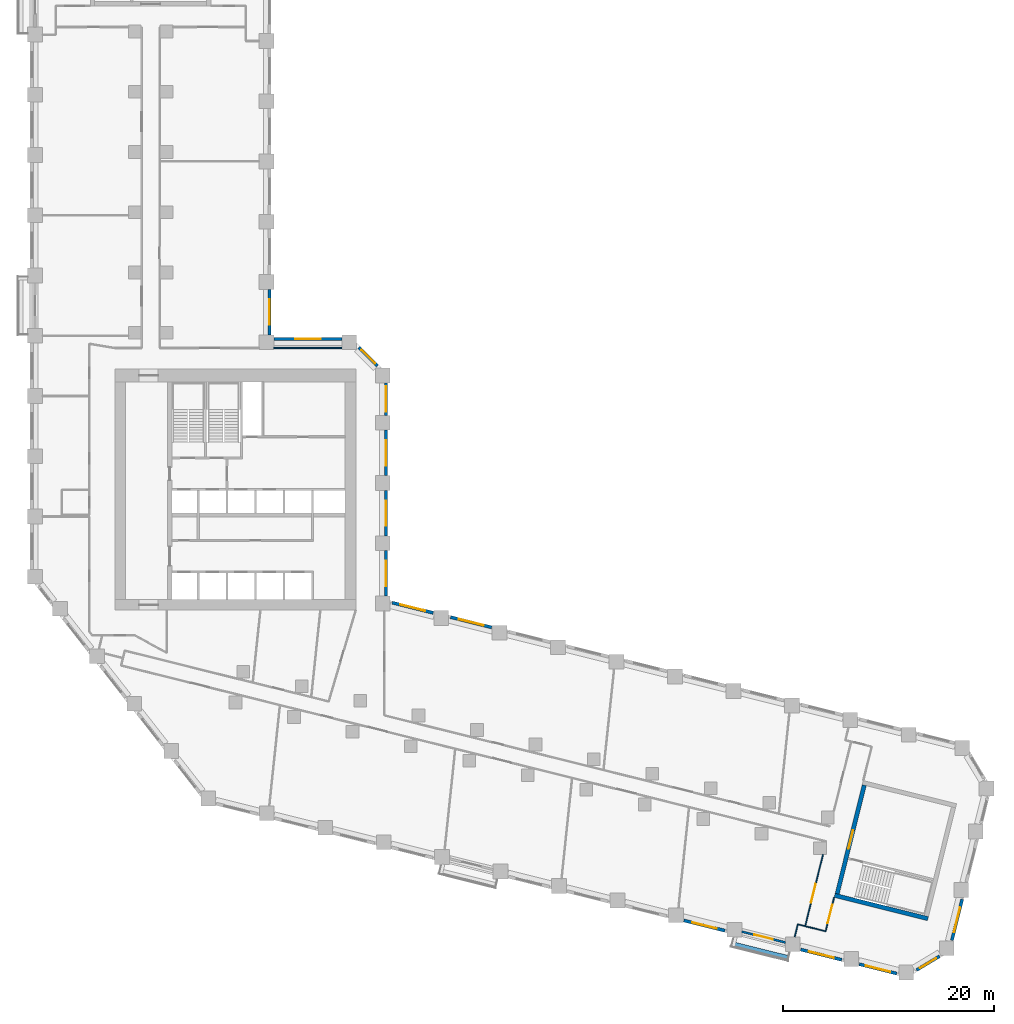
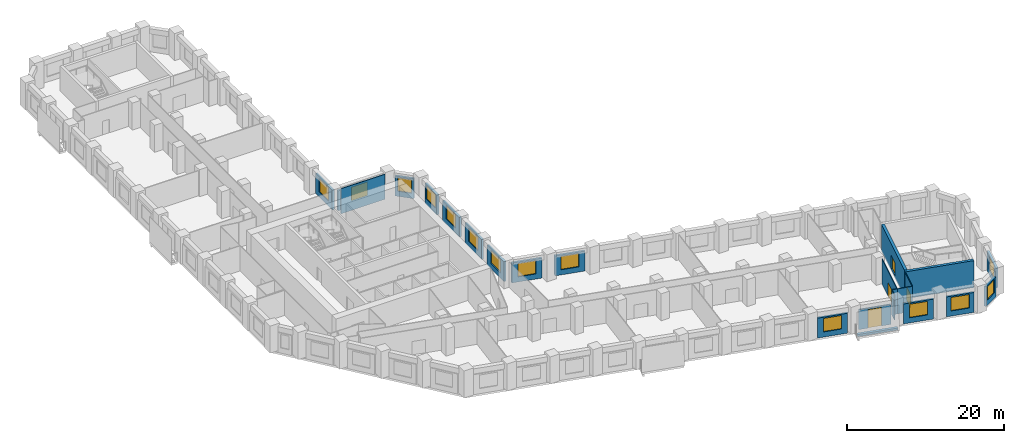
# One storey, part 6 of 11: 24 walls, 14 windows, 4 doors, 18 openings.
"""IFC4 building model written with IfcOpenShell, lengths in metres."""

import ifcopenshell
import ifcopenshell.guid

model = None  # the IFC model being written
_history = None  # IfcOwnerHistory: only IFC2X3 demands one
_inside = {}  # id of a spatial element -> (the spatial element, [elements in it])
_under = {}  # id of a project, library or spatial element -> (it, [spatial elements below it])
_declared = {}  # id of a project -> (the project, [libraries it declares])
_typed = {}  # id of a type object -> (the type object, [elements of that type])
_made_of = {}  # id of a material, layer set ... -> (it, [elements and type objects made of it])


def new_model(schema):
    """Start an empty IFC model of exactly this schema.

    Asked for "IFC4X3", IfcOpenShell would pick the latest addendum, in which some entities
    have other attributes; the version numbers below select the first issue.
    IFC2X3 requires an IfcOwnerHistory on every rooted entity: one is made here for all.
    """
    global model, _history
    if schema == "IFC4X3":
        model = ifcopenshell.file(schema_version=(4, 3, 0, 0))
    else:
        model = ifcopenshell.file(schema=schema)
    _inside.clear()
    _under.clear()
    _declared.clear()
    _typed.clear()
    _made_of.clear()
    _history = None
    if model.schema == "IFC2X3":
        org = make("IfcOrganization", Name="unknown")
        user = make(
            "IfcPersonAndOrganization",
            ThePerson=make("IfcPerson", FamilyName="unknown"),
            TheOrganization=org,
        )
        app = make(
            "IfcApplication",
            ApplicationDeveloper=org,
            Version="unknown",
            ApplicationFullName="unknown",
            ApplicationIdentifier="unknown",
        )
        _history = make(
            "IfcOwnerHistory",
            OwningUser=user,
            OwningApplication=app,
            ChangeAction="ADDED",
            CreationDate=0,
        )
    return model


def make(cls, **values):
    """One entity of the class cls with the attributes given. An attribute that is None is left unset."""
    return model.create_entity(
        cls, **{name: value for name, value in values.items() if value is not None}
    )


def rooted(cls, **values):
    """An entity with a GlobalId (a new one), such as an element, a storey or a relation."""
    return make(cls, GlobalId=ifcopenshell.guid.new(), OwnerHistory=_history, **values)


def si_unit(unit_type, name, prefix=None):
    """IfcSIUnit, for example si_unit("LENGTHUNIT", "METRE", prefix="MILLI")."""
    return make("IfcSIUnit", UnitType=unit_type, Prefix=prefix, Name=name)


def assignment(units):
    """IfcUnitAssignment: the units of a project."""
    return None if units is None else make("IfcUnitAssignment", Units=units)


def point(xyz):
    """IfcCartesianPoint."""
    return None if xyz is None else make("IfcCartesianPoint", Coordinates=xyz)


def direction(xyz):
    """IfcDirection."""
    return None if xyz is None else make("IfcDirection", DirectionRatios=xyz)


def frame(location, z_axis=None, x_axis=None):
    """IfcAxis2Placement3D, a coordinate frame: its origin and axes. An axis left out is left unset."""
    return make(
        "IfcAxis2Placement3D",
        Location=point(location),
        Axis=direction(z_axis),
        RefDirection=direction(x_axis),
    )


def frame_2d(location, x_axis=None):
    """IfcAxis2Placement2D, a coordinate frame in the plane: its origin and x axis."""
    return make(
        "IfcAxis2Placement2D", Location=point(location), RefDirection=direction(x_axis)
    )


def origin():
    """The frame at (0, 0, 0) with its axes left unset."""
    return frame((0.0, 0.0, 0.0))


def place(relative_to, where):
    """IfcLocalPlacement: puts the frame where relative to a parent placement (None: the world)."""
    return make(
        "IfcLocalPlacement", PlacementRelTo=relative_to, RelativePlacement=where
    )


def context(
    kind, dimensions, precision=None, world=None, true_north=None, identifier=None
):
    """IfcGeometricRepresentationContext, for example the 3D "Model" context."""
    return make(
        "IfcGeometricRepresentationContext",
        ContextIdentifier=identifier,
        ContextType=kind,
        CoordinateSpaceDimension=dimensions,
        Precision=precision,
        WorldCoordinateSystem=world,
        TrueNorth=true_north,
    )


def subcontext(parent, identifier, kind, view, scale=None):
    """IfcGeometricRepresentationSubContext, for example "Body" below "Model"."""
    return make(
        "IfcGeometricRepresentationSubContext",
        ContextIdentifier=identifier,
        ContextType=kind,
        ParentContext=parent,
        TargetScale=scale,
        TargetView=view,
    )


def project(units=None, contexts=None):
    """IfcProject with its units and contexts."""
    return rooted(
        "IfcProject",
        Name="project",
        RepresentationContexts=contexts,
        UnitsInContext=assignment(units),
    )


def spatial(cls, under=None, at=None, **own):
    """A site, building, storey or space (cls), placed at a placement, below another one or the project."""
    s = rooted(cls, ObjectPlacement=at, **own)
    if under is not None:
        _under.setdefault(under.id(), (under, []))[1].append(s)
    return s


def profile(cls, at=None, kind="AREA", **sizes):
    """A parametric profile (cls). Its sizes go by their IFC names, for example OverallWidth=200.0."""
    return make(cls, ProfileType=kind, Position=at, **sizes)


def rectangle(**sizes):
    """IfcRectangleProfileDef."""
    return profile("IfcRectangleProfileDef", **sizes)


def extrude(swept, where, along, depth):
    """IfcExtrudedAreaSolid: the profile swept, set in the frame where, extruded along a direction by depth."""
    return make(
        "IfcExtrudedAreaSolid",
        SweptArea=swept,
        Position=where,
        ExtrudedDirection=direction(along),
        Depth=depth,
    )


def shape(context_of_items, identifier, shape_type, items):
    """IfcShapeRepresentation: the items that make up one representation, for example the "Body"."""
    return make(
        "IfcShapeRepresentation",
        ContextOfItems=context_of_items,
        RepresentationIdentifier=identifier,
        RepresentationType=shape_type,
        Items=items,
    )


def material(Name=None, Category=None):
    """IfcMaterial."""
    return make("IfcMaterial", Name=Name, Category=Category)


def layer(
    of_material, thickness, ventilated=None, Name=None, Category=None, Priority=None
):
    """IfcMaterialLayer: one layer of a wall or slab, of a material (None: an air gap)."""
    return make(
        "IfcMaterialLayer",
        Material=of_material,
        LayerThickness=thickness,
        IsVentilated=ventilated,
        Name=Name,
        Category=Category,
        Priority=Priority,
    )


def layer_set(layers, Name=None):
    """IfcMaterialLayerSet."""
    return make("IfcMaterialLayerSet", MaterialLayers=layers, LayerSetName=Name)


def made_of(thing, what):
    """Note that an element or type object is made of a material, layer set ...; save() writes the relation."""
    if what is not None:
        _made_of.setdefault(what.id(), (what, []))[1].append(thing)
    return thing


def type_object(cls, material=None, **own):
    """A type object (cls), such as IfcWallType, which elements share."""
    return made_of(rooted(cls, **own), material)


def element(
    cls,
    number,
    at=None,
    inside=None,
    cuts=None,
    type_object=None,
    material=None,
    context=None,
    identifier="Body",
    shape_type=None,
    held_by="IfcProductDefinitionShape",
    body=None,
    shapes=None,
    **own,
):
    """One element of the class cls, such as IfcWall. Its Tag is "e" and its number.

    at: its placement. inside: the storey or other place that contains it. cuts: it is an
    opening in that element (IfcRelVoidsElement). A single representation is given by context,
    identifier, shape_type and body (its items); several are given by shapes. held_by: the class
    of the entity that holds the representations. save() writes the other relations.
    """
    e = rooted(cls, Tag="e%d" % number, ObjectPlacement=at, **own)
    if body is not None:
        shapes = [shape(context, identifier, shape_type, body)]
    if shapes is not None:
        e.Representation = make(held_by, Representations=shapes)
    if inside is not None:
        _inside.setdefault(inside.id(), (inside, []))[1].append(e)
    if cuts is not None:
        rooted(
            "IfcRelVoidsElement", RelatingBuildingElement=cuts, RelatedOpeningElement=e
        )
    if type_object is not None:
        _typed.setdefault(type_object.id(), (type_object, []))[1].append(e)
    return made_of(e, material)


def fill(opening, filler):
    """IfcRelFillsElement: the door or window that sits in an opening."""
    return rooted(
        "IfcRelFillsElement",
        RelatingOpeningElement=opening,
        RelatedBuildingElement=filler,
    )


def aggregate(whole, parts):
    """IfcRelAggregates: a whole, such as a stair, and the parts it consists of."""
    return rooted("IfcRelAggregates", RelatingObject=whole, RelatedObjects=parts)


def save(model, path):
    """Write the relations noted so far, then the file.

    IfcRelAggregates (storeys below a building ...), IfcRelContainedInSpatialStructure (elements
    in a storey), IfcRelDefinesByType, IfcRelAssociatesMaterial and IfcRelDeclares: one each for
    every whole, place, type object, material and project.
    """
    for whole, parts in _under.values():
        aggregate(whole, parts)
    for where, things in _inside.values():
        rooted(
            "IfcRelContainedInSpatialStructure",
            RelatedElements=things,
            RelatingStructure=where,
        )
    for kind, things in _typed.values():
        rooted("IfcRelDefinesByType", RelatedObjects=things, RelatingType=kind)
    for what, things in _made_of.values():
        rooted("IfcRelAssociatesMaterial", RelatedObjects=things, RelatingMaterial=what)
    for by, libraries in _declared.values():
        rooted("IfcRelDeclares", RelatingContext=by, RelatedDefinitions=libraries)
    model.write(path)


model = new_model("IFC4")

# Units and contexts
model_context = context("Model", 3, precision=1e-05, world=origin(), true_north=direction((0.0, 1.0)))
body_context = subcontext(model_context, "Body", "Model", "MODEL_VIEW")
ifc_project = project(units=[si_unit("LENGTHUNIT", "METRE"), si_unit("AREAUNIT", "SQUARE_METRE"), si_unit("VOLUMEUNIT", "CUBIC_METRE"), si_unit("PLANEANGLEUNIT", "RADIAN"), si_unit("MASSUNIT", "GRAM", prefix="KILO")], contexts=[model_context])

# Site, building, storey
site_placement = place(None, origin())
site = spatial("IfcSite", under=ifc_project, at=site_placement, CompositionType="ELEMENT")
building_placement = place(site_placement, origin())
building = spatial("IfcBuilding", under=site, at=building_placement, Name="Meshkara Civic Tower", CompositionType="ELEMENT")
storey_placement = place(building_placement, frame((0.0, 0.0, 45.60009765625)))
storey = spatial("IfcBuildingStorey", under=building, at=storey_placement, Name="L09", CompositionType="ELEMENT", Elevation=45.60009765625)

# Walls
ifc_material_1 = material(Name="Corridor wall 100")
ifc_layer_1 = layer(ifc_material_1, 0.10009765625)
ifc_layer_set_1 = layer_set([ifc_layer_1], Name="Corridor wall 100")
wall_type_1 = type_object("IfcWallType", Name="Corridor wall 100", PredefinedType="PARTITIONING", material=ifc_layer_set_1)
wall_1_placement = place(storey_placement, frame((29.493896484375, 38.89990234375, 0.0), z_axis=(0.0, 0.0, 1.0), x_axis=(-1.0, 0.0, 0.0)))
element("IfcWall", 1, at=wall_1_placement, inside=storey, type_object=wall_type_1, Name="L09-W021", PredefinedType="PARTITIONING", context=body_context, shape_type="SweptSolid", body=[
    extrude(rectangle(XDim=6.44384765625, YDim=0.10009765625, at=frame_2d((3.221923828125, 0.0))), origin(), (0.0, 0.0, 1.0), 3.89990234375),
])
wall_2_placement = place(storey_placement, frame((73.323974609375, -15.80810546875, 0.0), z_axis=(0.0, 0.0, 1.0), x_axis=(0.970271653322, -0.242018426489, 0.0)))
element("IfcWall", 2, at=wall_2_placement, inside=storey, type_object=wall_type_1, Name="L09-W025", PredefinedType="PARTITIONING", context=body_context, shape_type="SweptSolid", body=[
    extrude(rectangle(XDim=1.999267578125, YDim=0.10009765625, at=frame_2d((0.99951171875, 0.0))), origin(), (0.0, 0.0, 1.0), 3.89990234375),
])

# Wall, opening, door
wall_3_placement = place(storey_placement, frame((75.013916015625, -9.029052734375, 0.0), z_axis=(0.0, 0.0, 1.0), x_axis=(-0.241886013589, -0.970304671961, 0.0)))
wall_3 = element("IfcWall", 3, at=wall_3_placement, inside=storey, type_object=wall_type_1, Name="L09-W026", PredefinedType="PARTITIONING", context=body_context, shape_type="SweptSolid", body=[
    extrude(rectangle(XDim=6.986572265625, YDim=0.10009765625, at=frame_2d((3.4931640625, 0.0))), origin(), (0.0, 0.0, 1.0), 3.89990234375),
])
opening_1_placement = place(wall_3_placement, frame((2.8798828125, 0.0, 0.0)))
opening_1 = element("IfcOpeningElement", 4, at=opening_1_placement, cuts=wall_3, Name="Opening L09-D001", PredefinedType="OPENING", context=body_context, shape_type="SweptSolid", body=[
    extrude(rectangle(XDim=1.800048828125, YDim=2.10009765625, at=frame_2d((0.89990234375, 1.050048828125))), frame((0.0, 0.06005859375, 0.0), z_axis=(0.0, -1.0, 0.0), x_axis=(1.0, 0.0, 0.0)), (0.0, 0.0, 1.0), 0.1201171875),
])
ifc_material_2 = material(Name="Door pair 1800 x 2100")
door_type_1 = type_object("IfcDoorType", Name="Door pair 1800 x 2100", OperationType="SINGLE_SWING_LEFT", PredefinedType="DOOR", material=ifc_material_2)
door_1_placement = place(opening_1_placement, origin())
door_1 = element("IfcDoor", 5, at=door_1_placement, inside=storey, type_object=door_type_1, Name="L09-D001", OperationType="DOUBLE_DOOR_SINGLE_SWING", OverallHeight=2.10009765625, OverallWidth=1.800048828125, PredefinedType="DOOR", context=body_context, shape_type="SweptSolid", body=[
    extrude(rectangle(XDim=1.800048828125, YDim=2.10009765625, at=frame_2d((0.89990234375, 1.050048828125))), frame((0.0, 0.02490234375, 0.0), z_axis=(0.0, -1.0, 0.0), x_axis=(1.0, 0.0, 0.0)), (0.0, 0.0, 1.0), 0.050048828125),
])
fill(opening_1, door_1)

wall_4_placement = place(storey_placement, frame((75.263916015625, -16.2919921875, 0.0), z_axis=(0.0, 0.0, 1.0), x_axis=(0.242135244173, 0.970242507587, 0.0)))
wall_4 = element("IfcWall", 6, at=wall_4_placement, inside=storey, type_object=wall_type_1, Name="L09-W027", PredefinedType="PARTITIONING", context=body_context, shape_type="SweptSolid", body=[
    extrude(rectangle(XDim=3.300048828125, YDim=0.10009765625, at=frame_2d((1.64990234375, 0.0))), origin(), (0.0, 0.0, 1.0), 3.89990234375),
])
opening_2_placement = place(wall_4_placement, frame((0.780029296875, 0.0, 0.0)))
opening_2 = element("IfcOpeningElement", 7, at=opening_2_placement, cuts=wall_4, Name="Opening L09-D002", PredefinedType="OPENING", context=body_context, shape_type="SweptSolid", body=[
    extrude(rectangle(XDim=1.800048828125, YDim=2.10009765625, at=frame_2d((0.89990234375, 1.050048828125))), frame((0.0, 0.06005859375, 0.0), z_axis=(0.0, -1.0, 0.0), x_axis=(1.0, 0.0, 0.0)), (0.0, 0.0, 1.0), 0.1201171875),
])
door_2_placement = place(opening_2_placement, origin())
door_2 = element("IfcDoor", 8, at=door_2_placement, inside=storey, type_object=door_type_1, Name="L09-D002", OperationType="DOUBLE_DOOR_SINGLE_SWING", OverallHeight=2.10009765625, OverallWidth=1.800048828125, PredefinedType="DOOR", context=body_context, shape_type="SweptSolid", body=[
    extrude(rectangle(XDim=1.800048828125, YDim=2.10009765625, at=frame_2d((0.89990234375, 1.050048828125))), frame((0.0, 0.02490234375, 0.0), z_axis=(0.0, -1.0, 0.0), x_axis=(1.0, 0.0, 0.0)), (0.0, 0.0, 1.0), 0.050048828125),
])
fill(opening_2, door_2)

# Wall, opening, window
ifc_material_3 = material(Name="Insulated infill panel with bronze anodised aluminium cladding", Category="aluminium")
ifc_layer_2 = layer(ifc_material_3, 0.300048828125)
ifc_layer_set_2 = layer_set([ifc_layer_2], Name="EXTERNAL INFILL WALL 300")
wall_type_2 = type_object("IfcWallType", Name="EXTERNAL INFILL WALL 300", PredefinedType="SOLIDWALL", material=ifc_layer_set_2)
wall_5_placement = place(storey_placement, frame((43.659912109375, 12.4580078125, 0.0), z_axis=(0.0, 0.0, 1.0), x_axis=(-0.970300202301, 0.241903942538, 0.0)))
wall_5 = element("IfcWall", 9, at=wall_5_placement, inside=storey, type_object=wall_type_2, Name="External wall", PredefinedType="SOLIDWALL", context=body_context, shape_type="SweptSolid", body=[
    extrude(rectangle(XDim=4.001708984375, YDim=0.300048828125, at=frame_2d((2.0009765625, 0.0))), origin(), (0.0, 0.0, 1.0), 3.099853515625),
])
opening_3_placement = place(wall_5_placement, frame((0.801025390625, 0.0, 0.800048828125)))
opening_3 = element("IfcOpeningElement", 10, at=opening_3_placement, cuts=wall_5, Name="Opening W7", PredefinedType="OPENING", context=body_context, shape_type="SweptSolid", body=[
    extrude(rectangle(XDim=2.39990234375, YDim=2.10009765625, at=frame_2d((1.199951171875, 1.050048828125))), frame((0.0, 0.159912109375, 0.0), z_axis=(0.0, -1.0, 0.0), x_axis=(1.0, 0.0, 0.0)), (0.0, 0.0, 1.0), 0.320068359375),
])
ifc_material_4 = material(Name="Tinted double glazing", Category="glass")
window_type_1 = type_object("IfcWindowType", Name="WINDOW 2400x2100", PartitioningType="DOUBLE_PANEL_VERTICAL", PredefinedType="WINDOW", material=ifc_material_4)
window_1_placement = place(opening_3_placement, origin())
window_1 = element("IfcWindow", 11, at=window_1_placement, inside=storey, type_object=window_type_1, Name="Window", OverallHeight=2.10009765625, OverallWidth=2.39990234375, PartitioningType="DOUBLE_PANEL_VERTICAL", PredefinedType="WINDOW", context=body_context, shape_type="SweptSolid", body=[
    extrude(rectangle(XDim=2.39990234375, YDim=2.10009765625, at=frame_2d((1.199951171875, 1.050048828125))), frame((0.0, 0.030029296875, 0.0), z_axis=(0.0, -1.0, 0.0), x_axis=(1.0, 0.0, 0.0)), (0.0, 0.0, 1.0), 0.06005859375),
])
fill(opening_3, window_1)

wall_6_placement = place(storey_placement, frame((38.1298828125, 13.8369140625, 0.0), z_axis=(0.0, 0.0, 1.0), x_axis=(-0.970314477803, 0.241846674911, 0.0)))
wall_6 = element("IfcWall", 12, at=wall_6_placement, inside=storey, type_object=wall_type_2, Name="External wall", PredefinedType="SOLIDWALL", context=body_context, shape_type="SweptSolid", body=[
    extrude(rectangle(XDim=4.002685546875, YDim=0.300048828125, at=frame_2d((2.00146484375, 0.0))), origin(), (0.0, 0.0, 1.0), 3.099853515625),
])
opening_4_placement = place(wall_6_placement, frame((0.802001953125, 0.0, 0.800048828125)))
opening_4 = element("IfcOpeningElement", 13, at=opening_4_placement, cuts=wall_6, Name="Opening W7", PredefinedType="OPENING", context=body_context, shape_type="SweptSolid", body=[
    extrude(rectangle(XDim=2.39990234375, YDim=2.10009765625, at=frame_2d((1.199951171875, 1.050048828125))), frame((0.0, 0.159912109375, 0.0), z_axis=(0.0, -1.0, 0.0), x_axis=(1.0, 0.0, 0.0)), (0.0, 0.0, 1.0), 0.320068359375),
])
window_2_placement = place(opening_4_placement, origin())
window_2 = element("IfcWindow", 14, at=window_2_placement, inside=storey, type_object=window_type_1, Name="Window", OverallHeight=2.10009765625, OverallWidth=2.39990234375, PartitioningType="DOUBLE_PANEL_VERTICAL", PredefinedType="WINDOW", context=body_context, shape_type="SweptSolid", body=[
    extrude(rectangle(XDim=2.39990234375, YDim=2.10009765625, at=frame_2d((1.199951171875, 1.050048828125))), frame((0.0, 0.030029296875, 0.0), z_axis=(0.0, -1.0, 0.0), x_axis=(1.0, 0.0, 0.0)), (0.0, 0.0, 1.0), 0.06005859375),
])
fill(opening_4, window_2)

wall_7_placement = place(storey_placement, frame((33.64990234375, 15.4189453125, 0.0), z_axis=(0.0, 0.0, 1.0), x_axis=(0.0, 1.0, 0.0)))
wall_7 = element("IfcWall", 15, at=wall_7_placement, inside=storey, type_object=wall_type_2, Name="External wall", PredefinedType="SOLIDWALL", context=body_context, shape_type="SweptSolid", body=[
    extrude(rectangle(XDim=4.300048828125, YDim=0.300048828125, at=frame_2d((2.14990234375, 0.0))), origin(), (0.0, 0.0, 1.0), 3.099853515625),
])
opening_5_placement = place(wall_7_placement, frame((0.949951171875, 0.0, 0.800048828125)))
opening_5 = element("IfcOpeningElement", 16, at=opening_5_placement, cuts=wall_7, Name="Opening W7", PredefinedType="OPENING", context=body_context, shape_type="SweptSolid", body=[
    extrude(rectangle(XDim=2.39990234375, YDim=2.10009765625, at=frame_2d((1.199951171875, 1.050048828125))), frame((0.0, 0.159912109375, 0.0), z_axis=(0.0, -1.0, 0.0), x_axis=(1.0, 0.0, 0.0)), (0.0, 0.0, 1.0), 0.320068359375),
])
window_3_placement = place(opening_5_placement, origin())
window_3 = element("IfcWindow", 17, at=window_3_placement, inside=storey, type_object=window_type_1, Name="Window", OverallHeight=2.10009765625, OverallWidth=2.39990234375, PartitioningType="DOUBLE_PANEL_VERTICAL", PredefinedType="WINDOW", context=body_context, shape_type="SweptSolid", body=[
    extrude(rectangle(XDim=2.39990234375, YDim=2.10009765625, at=frame_2d((1.199951171875, 1.050048828125))), frame((0.0, 0.030029296875, 0.0), z_axis=(0.0, -1.0, 0.0), x_axis=(1.0, 0.0, 0.0)), (0.0, 0.0, 1.0), 0.06005859375),
])
fill(opening_5, window_3)

wall_8_placement = place(storey_placement, frame((33.64990234375, 21.118896484375, 0.0), z_axis=(0.0, 0.0, 1.0), x_axis=(0.0, 1.0, 0.0)))
wall_8 = element("IfcWall", 18, at=wall_8_placement, inside=storey, type_object=wall_type_2, Name="External wall", PredefinedType="SOLIDWALL", context=body_context, shape_type="SweptSolid", body=[
    extrude(rectangle(XDim=4.300048828125, YDim=0.300048828125, at=frame_2d((2.14990234375, 0.0))), origin(), (0.0, 0.0, 1.0), 3.099853515625),
])
opening_6_placement = place(wall_8_placement, frame((0.949951171875, 0.0, 0.800048828125)))
opening_6 = element("IfcOpeningElement", 19, at=opening_6_placement, cuts=wall_8, Name="Opening W7", PredefinedType="OPENING", context=body_context, shape_type="SweptSolid", body=[
    extrude(rectangle(XDim=2.39990234375, YDim=2.10009765625, at=frame_2d((1.199951171875, 1.050048828125))), frame((0.0, 0.159912109375, 0.0), z_axis=(0.0, -1.0, 0.0), x_axis=(1.0, 0.0, 0.0)), (0.0, 0.0, 1.0), 0.320068359375),
])
window_4_placement = place(opening_6_placement, origin())
window_4 = element("IfcWindow", 20, at=window_4_placement, inside=storey, type_object=window_type_1, Name="Window", OverallHeight=2.10009765625, OverallWidth=2.39990234375, PartitioningType="DOUBLE_PANEL_VERTICAL", PredefinedType="WINDOW", context=body_context, shape_type="SweptSolid", body=[
    extrude(rectangle(XDim=2.39990234375, YDim=2.10009765625, at=frame_2d((1.199951171875, 1.050048828125))), frame((0.0, 0.030029296875, 0.0), z_axis=(0.0, -1.0, 0.0), x_axis=(1.0, 0.0, 0.0)), (0.0, 0.0, 1.0), 0.06005859375),
])
fill(opening_6, window_4)

wall_9_placement = place(storey_placement, frame((33.64990234375, 26.819091796875, 0.0), z_axis=(0.0, 0.0, 1.0), x_axis=(0.0, 1.0, 0.0)))
wall_9 = element("IfcWall", 21, at=wall_9_placement, inside=storey, type_object=wall_type_2, Name="External wall", PredefinedType="SOLIDWALL", context=body_context, shape_type="SweptSolid", body=[
    extrude(rectangle(XDim=4.2998046875, YDim=0.300048828125, at=frame_2d((2.14990234375, 0.0))), origin(), (0.0, 0.0, 1.0), 3.099853515625),
])
opening_7_placement = place(wall_9_placement, frame((0.949951171875, 0.0, 0.800048828125)))
opening_7 = element("IfcOpeningElement", 22, at=opening_7_placement, cuts=wall_9, Name="Opening W7", PredefinedType="OPENING", context=body_context, shape_type="SweptSolid", body=[
    extrude(rectangle(XDim=2.39990234375, YDim=2.10009765625, at=frame_2d((1.199951171875, 1.050048828125))), frame((0.0, 0.159912109375, 0.0), z_axis=(0.0, -1.0, 0.0), x_axis=(1.0, 0.0, 0.0)), (0.0, 0.0, 1.0), 0.320068359375),
])
window_5_placement = place(opening_7_placement, origin())
window_5 = element("IfcWindow", 23, at=window_5_placement, inside=storey, type_object=window_type_1, Name="Window", OverallHeight=2.10009765625, OverallWidth=2.39990234375, PartitioningType="DOUBLE_PANEL_VERTICAL", PredefinedType="WINDOW", context=body_context, shape_type="SweptSolid", body=[
    extrude(rectangle(XDim=2.39990234375, YDim=2.10009765625, at=frame_2d((1.199951171875, 1.050048828125))), frame((0.0, 0.030029296875, 0.0), z_axis=(0.0, -1.0, 0.0), x_axis=(1.0, 0.0, 0.0)), (0.0, 0.0, 1.0), 0.06005859375),
])
fill(opening_7, window_5)

wall_10_placement = place(storey_placement, frame((33.64990234375, 32.51904296875, 0.0), z_axis=(0.0, 0.0, 1.0), x_axis=(0.0, 1.0, 0.0)))
wall_10 = element("IfcWall", 24, at=wall_10_placement, inside=storey, type_object=wall_type_2, Name="External wall", PredefinedType="SOLIDWALL", context=body_context, shape_type="SweptSolid", body=[
    extrude(rectangle(XDim=3.074951171875, YDim=0.300048828125, at=frame_2d((1.53759765625, 0.0))), origin(), (0.0, 0.0, 1.0), 3.099853515625),
])
opening_8_placement = place(wall_10_placement, frame((0.337890625, 0.0, 0.800048828125)))
opening_8 = element("IfcOpeningElement", 25, at=opening_8_placement, cuts=wall_10, Name="Opening W7", PredefinedType="OPENING", context=body_context, shape_type="SweptSolid", body=[
    extrude(rectangle(XDim=2.39990234375, YDim=2.10009765625, at=frame_2d((1.199951171875, 1.050048828125))), frame((0.0, 0.159912109375, 0.0), z_axis=(0.0, -1.0, 0.0), x_axis=(1.0, 0.0, 0.0)), (0.0, 0.0, 1.0), 0.320068359375),
])
window_6_placement = place(opening_8_placement, origin())
window_6 = element("IfcWindow", 26, at=window_6_placement, inside=storey, type_object=window_type_1, Name="Window", OverallHeight=2.10009765625, OverallWidth=2.39990234375, PartitioningType="DOUBLE_PANEL_VERTICAL", PredefinedType="WINDOW", context=body_context, shape_type="SweptSolid", body=[
    extrude(rectangle(XDim=2.39990234375, YDim=2.10009765625, at=frame_2d((1.199951171875, 1.050048828125))), frame((0.0, 0.030029296875, 0.0), z_axis=(0.0, -1.0, 0.0), x_axis=(1.0, 0.0, 0.0)), (0.0, 0.0, 1.0), 0.06005859375),
])
fill(opening_8, window_6)

wall_11_placement = place(storey_placement, frame((32.862060546875, 37.2060546875, 0.0), z_axis=(0.0, 0.0, 1.0), x_axis=(-0.707155935319, 0.707057623637, 0.0)))
wall_11 = element("IfcWall", 27, at=wall_11_placement, inside=storey, type_object=wall_type_2, Name="External wall", PredefinedType="SOLIDWALL", context=body_context, shape_type="SweptSolid", body=[
    extrude(rectangle(XDim=2.4833984375, YDim=0.300048828125, at=frame_2d((1.24169921875, 0.0))), origin(), (0.0, 0.0, 1.0), 3.099853515625),
])
opening_9_placement = place(wall_11_placement, frame((0.342041015625, 0.0, 0.800048828125)))
opening_9 = element("IfcOpeningElement", 28, at=opening_9_placement, cuts=wall_11, Name="Opening W9", PredefinedType="OPENING", context=body_context, shape_type="SweptSolid", body=[
    extrude(rectangle(XDim=1.800048828125, YDim=2.10009765625, at=frame_2d((0.89990234375, 1.050048828125))), frame((0.0, 0.159912109375, 0.0), z_axis=(0.0, -1.0, 0.0), x_axis=(1.0, 0.0, 0.0)), (0.0, 0.0, 1.0), 0.320068359375),
])
ifc_material_5 = material(Name="Tinted double glazing", Category="glass")
window_type_2 = type_object("IfcWindowType", Name="WINDOW 1800x2100", PartitioningType="DOUBLE_PANEL_VERTICAL", PredefinedType="WINDOW", material=ifc_material_5)
window_7_placement = place(opening_9_placement, origin())
window_7 = element("IfcWindow", 29, at=window_7_placement, inside=storey, type_object=window_type_2, Name="Window", OverallHeight=2.10009765625, OverallWidth=1.800048828125, PartitioningType="DOUBLE_PANEL_VERTICAL", PredefinedType="WINDOW", context=body_context, shape_type="SweptSolid", body=[
    extrude(rectangle(XDim=1.800048828125, YDim=2.10009765625, at=frame_2d((0.89990234375, 1.050048828125))), frame((0.0, 0.030029296875, 0.0), z_axis=(0.0, -1.0, 0.0), x_axis=(1.0, 0.0, 0.0)), (0.0, 0.0, 1.0), 0.06005859375),
])
fill(opening_9, window_7)

wall_12_placement = place(storey_placement, frame((29.493896484375, 39.75, 0.0), z_axis=(0.0, 0.0, 1.0), x_axis=(-1.0, 0.0, 0.0)))
wall_12 = element("IfcWall", 30, at=wall_12_placement, inside=storey, type_object=wall_type_2, Name="External wall", PredefinedType="SOLIDWALL", context=body_context, shape_type="SweptSolid", body=[
    extrude(rectangle(XDim=6.44384765625, YDim=0.300048828125, at=frame_2d((3.221923828125, 0.0))), origin(), (0.0, 0.0, 1.0), 3.099853515625),
])
opening_10_placement = place(wall_12_placement, frame((2.02197265625, 0.0, 0.800048828125)))
opening_10 = element("IfcOpeningElement", 31, at=opening_10_placement, cuts=wall_12, Name="Opening W7", PredefinedType="OPENING", context=body_context, shape_type="SweptSolid", body=[
    extrude(rectangle(XDim=2.39990234375, YDim=2.10009765625, at=frame_2d((1.199951171875, 1.050048828125))), frame((0.0, 0.159912109375, 0.0), z_axis=(0.0, -1.0, 0.0), x_axis=(1.0, 0.0, 0.0)), (0.0, 0.0, 1.0), 0.320068359375),
])
window_8_placement = place(opening_10_placement, origin())
window_8 = element("IfcWindow", 32, at=window_8_placement, inside=storey, type_object=window_type_1, Name="Window", OverallHeight=2.10009765625, OverallWidth=2.39990234375, PartitioningType="DOUBLE_PANEL_VERTICAL", PredefinedType="WINDOW", context=body_context, shape_type="SweptSolid", body=[
    extrude(rectangle(XDim=2.39990234375, YDim=2.10009765625, at=frame_2d((1.199951171875, 1.050048828125))), frame((0.0, 0.030029296875, 0.0), z_axis=(0.0, -1.0, 0.0), x_axis=(1.0, 0.0, 0.0)), (0.0, 0.0, 1.0), 0.06005859375),
])
fill(opening_10, window_8)

wall_13_placement = place(storey_placement, frame((22.64990234375, 40.14990234375, 0.0), z_axis=(0.0, 0.0, 1.0), x_axis=(0.0, 1.0, 0.0)))
wall_13 = element("IfcWall", 33, at=wall_13_placement, inside=storey, type_object=wall_type_2, Name="External wall", PredefinedType="SOLIDWALL", context=body_context, shape_type="SweptSolid", body=[
    extrude(rectangle(XDim=4.300048828125, YDim=0.300048828125, at=frame_2d((2.14990234375, 0.0))), origin(), (0.0, 0.0, 1.0), 3.099853515625),
])
opening_11_placement = place(wall_13_placement, frame((0.949951171875, 0.0, 0.800048828125)))
opening_11 = element("IfcOpeningElement", 34, at=opening_11_placement, cuts=wall_13, Name="Opening W7", PredefinedType="OPENING", context=body_context, shape_type="SweptSolid", body=[
    extrude(rectangle(XDim=2.39990234375, YDim=2.10009765625, at=frame_2d((1.199951171875, 1.050048828125))), frame((0.0, 0.159912109375, 0.0), z_axis=(0.0, -1.0, 0.0), x_axis=(1.0, 0.0, 0.0)), (0.0, 0.0, 1.0), 0.320068359375),
])
window_9_placement = place(opening_11_placement, origin())
window_9 = element("IfcWindow", 35, at=window_9_placement, inside=storey, type_object=window_type_1, Name="Window", OverallHeight=2.10009765625, OverallWidth=2.39990234375, PartitioningType="DOUBLE_PANEL_VERTICAL", PredefinedType="WINDOW", context=body_context, shape_type="SweptSolid", body=[
    extrude(rectangle(XDim=2.39990234375, YDim=2.10009765625, at=frame_2d((1.199951171875, 1.050048828125))), frame((0.0, 0.030029296875, 0.0), z_axis=(0.0, -1.0, 0.0), x_axis=(1.0, 0.0, 0.0)), (0.0, 0.0, 1.0), 0.06005859375),
])
fill(opening_11, window_9)

wall_14_placement = place(storey_placement, frame((61.847900390625, -15.26611328125, 0.0), z_axis=(0.0, 0.0, 1.0), x_axis=(0.970318089187, -0.241832185196, 0.0)))
wall_14 = element("IfcWall", 36, at=wall_14_placement, inside=storey, type_object=wall_type_2, Name="External wall", PredefinedType="SOLIDWALL", context=body_context, shape_type="SweptSolid", body=[
    extrude(rectangle(XDim=4.001953125, YDim=0.300048828125, at=frame_2d((2.0009765625, 0.0))), origin(), (0.0, 0.0, 1.0), 3.099853515625),
])
opening_12_placement = place(wall_14_placement, frame((0.801025390625, 0.0, 0.800048828125)))
opening_12 = element("IfcOpeningElement", 37, at=opening_12_placement, cuts=wall_14, Name="Opening W7", PredefinedType="OPENING", context=body_context, shape_type="SweptSolid", body=[
    extrude(rectangle(XDim=2.39990234375, YDim=2.10009765625, at=frame_2d((1.199951171875, 1.050048828125))), frame((0.0, 0.159912109375, 0.0), z_axis=(0.0, -1.0, 0.0), x_axis=(1.0, 0.0, 0.0)), (0.0, 0.0, 1.0), 0.320068359375),
])
window_10_placement = place(opening_12_placement, origin())
window_10 = element("IfcWindow", 38, at=window_10_placement, inside=storey, type_object=window_type_1, Name="Window", OverallHeight=2.10009765625, OverallWidth=2.39990234375, PartitioningType="DOUBLE_PANEL_VERTICAL", PredefinedType="WINDOW", context=body_context, shape_type="SweptSolid", body=[
    extrude(rectangle(XDim=2.39990234375, YDim=2.10009765625, at=frame_2d((1.199951171875, 1.050048828125))), frame((0.0, 0.030029296875, 0.0), z_axis=(0.0, -1.0, 0.0), x_axis=(1.0, 0.0, 0.0)), (0.0, 0.0, 1.0), 0.06005859375),
])
fill(opening_12, window_10)

wall_15_placement = place(storey_placement, frame((72.908935546875, -18.02294921875, 0.0), z_axis=(0.0, 0.0, 1.0), x_axis=(0.970260773365, -0.242062040951, 0.0)))
wall_15 = element("IfcWall", 39, at=wall_15_placement, inside=storey, type_object=wall_type_2, Name="External wall", PredefinedType="SOLIDWALL", context=body_context, shape_type="SweptSolid", body=[
    extrude(rectangle(XDim=4.003173828125, YDim=0.300048828125, at=frame_2d((2.00146484375, 0.0))), origin(), (0.0, 0.0, 1.0), 3.099853515625),
])
opening_13_placement = place(wall_15_placement, frame((0.802001953125, 0.0, 0.800048828125)))
opening_13 = element("IfcOpeningElement", 40, at=opening_13_placement, cuts=wall_15, Name="Opening W7", PredefinedType="OPENING", context=body_context, shape_type="SweptSolid", body=[
    extrude(rectangle(XDim=2.39990234375, YDim=2.10009765625, at=frame_2d((1.199951171875, 1.050048828125))), frame((0.0, 0.159912109375, 0.0), z_axis=(0.0, -1.0, 0.0), x_axis=(1.0, 0.0, 0.0)), (0.0, 0.0, 1.0), 0.320068359375),
])
window_11_placement = place(opening_13_placement, origin())
window_11 = element("IfcWindow", 41, at=window_11_placement, inside=storey, type_object=window_type_1, Name="Window", OverallHeight=2.10009765625, OverallWidth=2.39990234375, PartitioningType="DOUBLE_PANEL_VERTICAL", PredefinedType="WINDOW", context=body_context, shape_type="SweptSolid", body=[
    extrude(rectangle(XDim=2.39990234375, YDim=2.10009765625, at=frame_2d((1.199951171875, 1.050048828125))), frame((0.0, 0.030029296875, 0.0), z_axis=(0.0, -1.0, 0.0), x_axis=(1.0, 0.0, 0.0)), (0.0, 0.0, 1.0), 0.06005859375),
])
fill(opening_13, window_11)

wall_16_placement = place(storey_placement, frame((78.43994140625, -19.402099609375, 0.0), z_axis=(0.0, 0.0, 1.0), x_axis=(0.970271818873, -0.24201776278, 0.0)))
wall_16 = element("IfcWall", 42, at=wall_16_placement, inside=storey, type_object=wall_type_2, Name="External wall", PredefinedType="SOLIDWALL", context=body_context, shape_type="SweptSolid", body=[
    extrude(rectangle(XDim=3.660888671875, YDim=0.300048828125, at=frame_2d((1.83056640625, 0.0))), origin(), (0.0, 0.0, 1.0), 3.099853515625),
])
opening_14_placement = place(wall_16_placement, frame((0.6298828125, 0.0, 0.800048828125)))
opening_14 = element("IfcOpeningElement", 43, at=opening_14_placement, cuts=wall_16, Name="Opening W7", PredefinedType="OPENING", context=body_context, shape_type="SweptSolid", body=[
    extrude(rectangle(XDim=2.39990234375, YDim=2.10009765625, at=frame_2d((1.199951171875, 1.050048828125))), frame((0.0, 0.159912109375, 0.0), z_axis=(0.0, -1.0, 0.0), x_axis=(1.0, 0.0, 0.0)), (0.0, 0.0, 1.0), 0.320068359375),
])
window_12_placement = place(opening_14_placement, origin())
window_12 = element("IfcWindow", 44, at=window_12_placement, inside=storey, type_object=window_type_1, Name="Window", OverallHeight=2.10009765625, OverallWidth=2.39990234375, PartitioningType="DOUBLE_PANEL_VERTICAL", PredefinedType="WINDOW", context=body_context, shape_type="SweptSolid", body=[
    extrude(rectangle(XDim=2.39990234375, YDim=2.10009765625, at=frame_2d((1.199951171875, 1.050048828125))), frame((0.0, 0.030029296875, 0.0), z_axis=(0.0, -1.0, 0.0), x_axis=(1.0, 0.0, 0.0)), (0.0, 0.0, 1.0), 0.06005859375),
])
fill(opening_14, window_12)

wall_17_placement = place(storey_placement, frame((83.865966796875, -19.965087890625, 0.0), z_axis=(0.0, 0.0, 1.0), x_axis=(0.857026568426, 0.515272220299, 0.0)))
wall_17 = element("IfcWall", 45, at=wall_17_placement, inside=storey, type_object=wall_type_2, Name="External wall", PredefinedType="SOLIDWALL", context=body_context, shape_type="SweptSolid", body=[
    extrude(rectangle(XDim=2.54248046875, YDim=0.300048828125, at=frame_2d((1.271240234375, 0.0))), origin(), (0.0, 0.0, 1.0), 3.099853515625),
])
opening_15_placement = place(wall_17_placement, frame((0.37109375, 0.0, 0.800048828125)))
opening_15 = element("IfcOpeningElement", 46, at=opening_15_placement, cuts=wall_17, Name="Opening W9", PredefinedType="OPENING", context=body_context, shape_type="SweptSolid", body=[
    extrude(rectangle(XDim=1.800048828125, YDim=2.10009765625, at=frame_2d((0.89990234375, 1.050048828125))), frame((0.0, 0.159912109375, 0.0), z_axis=(0.0, -1.0, 0.0), x_axis=(1.0, 0.0, 0.0)), (0.0, 0.0, 1.0), 0.320068359375),
])
window_13_placement = place(opening_15_placement, origin())
window_13 = element("IfcWindow", 47, at=window_13_placement, inside=storey, type_object=window_type_2, Name="Window", OverallHeight=2.10009765625, OverallWidth=1.800048828125, PartitioningType="DOUBLE_PANEL_VERTICAL", PredefinedType="WINDOW", context=body_context, shape_type="SweptSolid", body=[
    extrude(rectangle(XDim=1.800048828125, YDim=2.10009765625, at=frame_2d((0.89990234375, 1.050048828125))), frame((0.0, 0.030029296875, 0.0), z_axis=(0.0, -1.0, 0.0), x_axis=(1.0, 0.0, 0.0)), (0.0, 0.0, 1.0), 0.06005859375),
])
fill(opening_15, window_13)

wall_18_placement = place(storey_placement, frame((87.2109375, -17.152099609375, 0.0), z_axis=(0.0, 0.0, 1.0), x_axis=(0.24183236211, 0.970318045095, 0.0)))
wall_18 = element("IfcWall", 48, at=wall_18_placement, inside=storey, type_object=wall_type_2, Name="External wall", PredefinedType="SOLIDWALL", context=body_context, shape_type="SweptSolid", body=[
    extrude(rectangle(XDim=4.0029296875, YDim=0.300048828125, at=frame_2d((2.00146484375, 0.0))), origin(), (0.0, 0.0, 1.0), 3.099853515625),
])
opening_16_placement = place(wall_18_placement, frame((0.802001953125, 0.0, 0.800048828125)))
opening_16 = element("IfcOpeningElement", 49, at=opening_16_placement, cuts=wall_18, Name="Opening W7", PredefinedType="OPENING", context=body_context, shape_type="SweptSolid", body=[
    extrude(rectangle(XDim=2.39990234375, YDim=2.10009765625, at=frame_2d((1.199951171875, 1.050048828125))), frame((0.0, 0.159912109375, 0.0), z_axis=(0.0, -1.0, 0.0), x_axis=(1.0, 0.0, 0.0)), (0.0, 0.0, 1.0), 0.320068359375),
])
window_14_placement = place(opening_16_placement, origin())
window_14 = element("IfcWindow", 50, at=window_14_placement, inside=storey, type_object=window_type_1, Name="Window", OverallHeight=2.10009765625, OverallWidth=2.39990234375, PartitioningType="DOUBLE_PANEL_VERTICAL", PredefinedType="WINDOW", context=body_context, shape_type="SweptSolid", body=[
    extrude(rectangle(XDim=2.39990234375, YDim=2.10009765625, at=frame_2d((1.199951171875, 1.050048828125))), frame((0.0, 0.030029296875, 0.0), z_axis=(0.0, -1.0, 0.0), x_axis=(1.0, 0.0, 0.0)), (0.0, 0.0, 1.0), 0.06005859375),
])
fill(opening_16, window_14)

# Wall
ifc_material_6 = material(Name="Concrete C80", Category="concrete")
ifc_layer_3 = layer(ifc_material_6, 0.39990234375)
ifc_layer_set_3 = layer_set([ifc_layer_3], Name="End core ring wall 400 C80")
wall_type_3 = type_object("IfcWallType", Name="End core ring wall 400 C80", PredefinedType="SHEAR", material=ifc_layer_set_3)
wall_19_placement = place(storey_placement, frame((76.111083984375, -12.89599609375, -0.300048828125), z_axis=(0.0, 0.0, 1.0), x_axis=(0.970311127573, -0.241860115992, 0.0)))
element("IfcWall", 51, at=wall_19_placement, inside=storey, type_object=wall_type_3, Name="L09-C030", PredefinedType="SHEAR", context=body_context, shape_type="SweptSolid", body=[
    extrude(rectangle(XDim=9.10009765625, YDim=0.39990234375, at=frame_2d((4.550048828125, 0.0))), origin(), (0.0, 0.0, 1.0), 4.199951171875),
])

# Wall, opening, door
wall_20_placement = place(storey_placement, frame((76.35302734375, -12.75, -0.300048828125), z_axis=(0.0, 0.0, 1.0), x_axis=(0.241977390218, 0.970281888228, 0.0)))
wall_20 = element("IfcWall", 52, at=wall_20_placement, inside=storey, type_object=wall_type_3, Name="L09-C032", PredefinedType="SHEAR", context=body_context, shape_type="SweptSolid", body=[
    extrude(rectangle(XDim=10.599853515625, YDim=0.39990234375, at=frame_2d((5.2998046875, 0.0))), origin(), (0.0, 0.0, 1.0), 4.199951171875),
])
opening_17_placement = place(wall_20_placement, frame((4.39990234375, 0.0, 0.300048828125)))
opening_17 = element("IfcOpeningElement", 53, at=opening_17_placement, cuts=wall_20, Name="Opening L09-K202", PredefinedType="OPENING", context=body_context, shape_type="SweptSolid", body=[
    extrude(rectangle(XDim=1.800048828125, YDim=2.10009765625, at=frame_2d((0.89990234375, 1.050048828125))), frame((0.0, 0.2099609375, 0.0), z_axis=(0.0, -1.0, 0.0), x_axis=(1.0, 0.0, 0.0)), (0.0, 0.0, 1.0), 0.419921875),
])
ifc_material_7 = material(Name="Fire-rated door leaf in steel frame", Category="steel")
door_type_2 = type_object("IfcDoorType", Name="Core double door 1800 EI 60", OperationType="DOUBLE_DOOR_SINGLE_SWING", PredefinedType="DOOR", material=ifc_material_7)
door_3_placement = place(opening_17_placement, origin())
door_3 = element("IfcDoor", 54, at=door_3_placement, inside=storey, type_object=door_type_2, Name="L09-K202", OperationType="DOUBLE_DOOR_SINGLE_SWING", OverallHeight=2.10009765625, OverallWidth=1.800048828125, PredefinedType="DOOR", context=body_context, shape_type="SweptSolid", body=[
    extrude(rectangle(XDim=1.800048828125, YDim=2.10009765625, at=frame_2d((0.89990234375, 1.050048828125))), frame((0.0, 0.02490234375, 0.0), z_axis=(0.0, -1.0, 0.0), x_axis=(1.0, 0.0, 0.0)), (0.0, 0.0, 1.0), 0.050048828125),
])
fill(opening_17, door_3)

ifc_material_8 = material(Name="Insulated infill panel with bronze anodised aluminium cladding", Category="aluminium")
ifc_layer_4 = layer(ifc_material_8, 0.199951171875)
ifc_layer_set_4 = layer_set([ifc_layer_4], Name="LOGGIA BACK WALL 200")
wall_type_4 = type_object("IfcWallType", Name="LOGGIA BACK WALL 200", PredefinedType="SOLIDWALL", material=ifc_layer_set_4)
wall_21_placement = place(storey_placement, frame((67.326904296875, -16.322998046875, 0.0), z_axis=(0.0, 0.0, 1.0), x_axis=(0.970347921137, -0.241712457159, 0.0)))
wall_21 = element("IfcWall", 55, at=wall_21_placement, inside=storey, type_object=wall_type_4, Name="Loggia wall", PredefinedType="SOLIDWALL", context=body_context, shape_type="SweptSolid", body=[
    extrude(rectangle(XDim=4.25732421875, YDim=0.199951171875, at=frame_2d((2.128662109375, 0.0))), origin(), (0.0, 0.0, 1.0), 3.099853515625),
])
opening_18_placement = place(wall_21_placement, frame((1.22802734375, 0.0, 0.0)))
opening_18 = element("IfcOpeningElement", 56, at=opening_18_placement, cuts=wall_21, Name="Opening L09-L004", PredefinedType="OPENING", context=body_context, shape_type="SweptSolid", body=[
    extrude(rectangle(XDim=1.800048828125, YDim=2.89990234375, at=frame_2d((0.89990234375, 1.449951171875))), frame((0.0, 0.10986328125, 0.0), z_axis=(0.0, -1.0, 0.0), x_axis=(1.0, 0.0, 0.0)), (0.0, 0.0, 1.0), 0.219970703125),
])
ifc_material_9 = material(Name="Tinted double glazing", Category="glass")
door_type_3 = type_object("IfcDoorType", Name="LOGGIA DOOR 1800x2900", OperationType="DOUBLE_DOOR_SINGLE_SWING", PredefinedType="DOOR", material=ifc_material_9)
door_4_placement = place(opening_18_placement, origin())
door_4 = element("IfcDoor", 57, at=door_4_placement, inside=storey, type_object=door_type_3, Name="L09-L004", OperationType="DOUBLE_DOOR_SINGLE_SWING", OverallHeight=2.89990234375, OverallWidth=1.800048828125, PredefinedType="DOOR", context=body_context, shape_type="SweptSolid", body=[
    extrude(rectangle(XDim=1.800048828125, YDim=2.89990234375, at=frame_2d((0.89990234375, 1.449951171875))), frame((0.0, 0.02490234375, 0.0), z_axis=(0.0, -1.0, 0.0), x_axis=(1.0, 0.0, 0.0)), (0.0, 0.0, 1.0), 0.050048828125),
])
fill(opening_18, door_4)

# Walls
ifc_material_10 = material(Name="Concrete C40", Category="concrete")
ifc_layer_5 = layer(ifc_material_10, 0.39990234375)
ifc_layer_set_5 = layer_set([ifc_layer_5], Name="PLANTER TRAY")
wall_type_5 = type_object("IfcWallType", Name="PLANTER TRAY", PredefinedType="SOLIDWALL", material=ifc_layer_set_5)
wall_22_placement = place(storey_placement, frame((66.469970703125, -17.47998046875, 0.0), z_axis=(0.0, 0.0, 1.0), x_axis=(0.97033243619, -0.241774612557, 0.0)))
element("IfcWall", 58, at=wall_22_placement, inside=storey, type_object=wall_type_5, Name="Planter", PredefinedType="SOLIDWALL", context=body_context, shape_type="SweptSolid", body=[
    extrude(rectangle(XDim=5.35986328125, YDim=0.39990234375, at=frame_2d((2.679931640625, 0.0))), origin(), (0.0, 0.0, 1.0), 0.2998046875),
])
ifc_material_11 = material(Name="Partition 100")
ifc_layer_6 = layer(ifc_material_11, 0.10009765625)
ifc_layer_set_6 = layer_set([ifc_layer_6], Name="Partition 100")
wall_type_6 = type_object("IfcWallType", Name="Partition 100", PredefinedType="PARTITIONING", material=ifc_layer_set_6)
wall_23_placement = place(storey_placement, frame((72.3330078125, -16.826904296875, 0.0), z_axis=(0.0, 0.0, 1.0), x_axis=(0.241693721233, 0.97035258804, 0.0)))
element("IfcWall", 59, at=wall_23_placement, inside=storey, type_object=wall_type_6, Name="L09-W053", PredefinedType="PARTITIONING", context=body_context, shape_type="SweptSolid", body=[
    extrude(rectangle(XDim=1.228271484375, YDim=0.10009765625, at=frame_2d((0.6142578125, 0.0))), origin(), (0.0, 0.0, 1.0), 3.89990234375),
])
wall_24_placement = place(storey_placement, frame((72.6298828125, -15.635009765625, 0.0), z_axis=(0.0, 0.0, 1.0), x_axis=(0.970282083048, -0.241976609029, 0.0)))
element("IfcWall", 60, at=wall_24_placement, inside=storey, type_object=wall_type_6, Name="L09-W054", PredefinedType="PARTITIONING", context=body_context, shape_type="SweptSolid", body=[
    extrude(rectangle(XDim=0.719482421875, YDim=0.10009765625, at=frame_2d((0.35986328125, 0.0))), origin(), (0.0, 0.0, 1.0), 3.89990234375),
])

save(model, "model.ifc")
